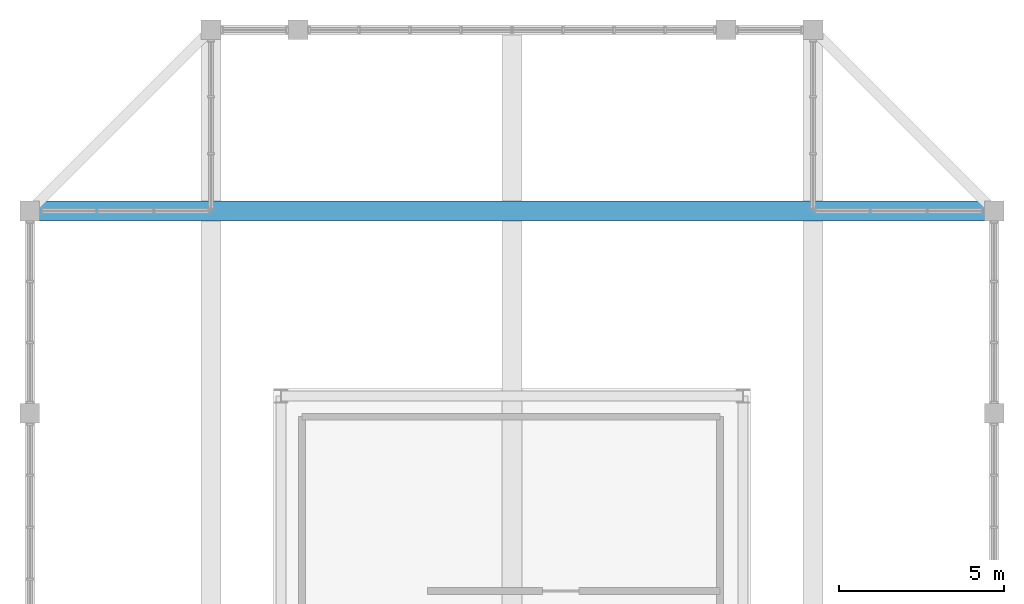
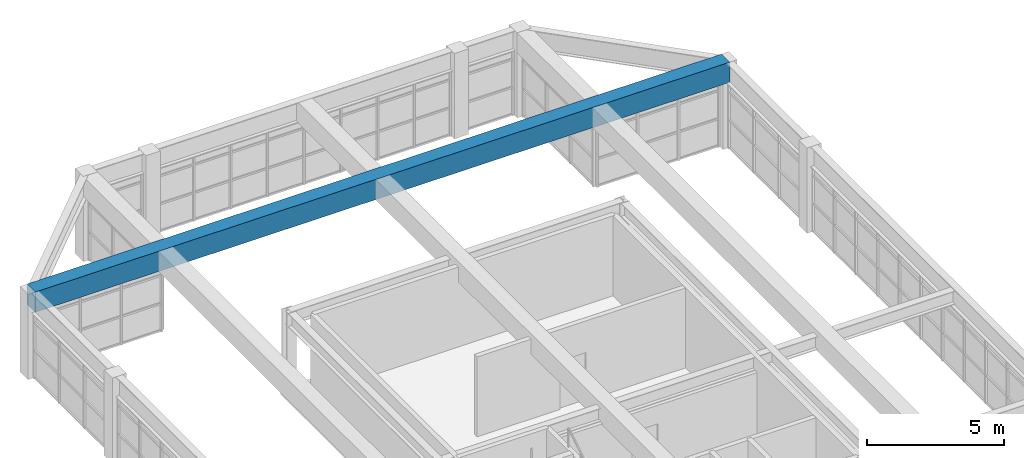
# One storey, part 19 of 28: 1 beam.
"""IFC4 building model written with IfcOpenShell, lengths in metres."""

from ifc_helpers import new_model, si_unit, direction, frame, origin, origin_2d, place, context, subcontext, project, spatial, rectangle, extrude, source, transform, mapped, material, material_profile, profile_set, type_object, element, save


model = new_model("IFC4")

# Units and contexts
model_context = context("Model", 3, precision=1e-05, world=origin(), true_north=direction((0.0, 1.0)))
body_context = subcontext(model_context, "Body", "Model", "MODEL_VIEW")
ifc_project = project(units=[si_unit("LENGTHUNIT", "METRE"), si_unit("AREAUNIT", "SQUARE_METRE"), si_unit("VOLUMEUNIT", "CUBIC_METRE"), si_unit("PLANEANGLEUNIT", "RADIAN"), si_unit("MASSUNIT", "GRAM", prefix="KILO")], contexts=[model_context])

# Site, building, storey
site_placement = place(None, origin())
site = spatial("IfcSite", under=ifc_project, at=site_placement, CompositionType="ELEMENT")
building_placement = place(site_placement, origin())
building = spatial("IfcBuilding", under=site, at=building_placement, Name="Saelheon Loggia Tower", CompositionType="ELEMENT")
storey_placement = place(building_placement, frame((0.0, 0.0, 271.199951171875)))
storey = spatial("IfcBuildingStorey", under=building, at=storey_placement, Name="CR6", CompositionType="ELEMENT", Elevation=271.199951171875)

# Beam
ifc_material = material(Name="Precast Concrete C45/55", Category="concrete")
ifc_material_profile = material_profile(ifc_material, rectangle(XDim=0.60009765625, YDim=0.89990234375, at=origin_2d()), Name="RC-600x900")
ifc_profile_set = profile_set([ifc_material_profile], Name="Precast Concrete C45/55")
beam_type = type_object("IfcBeamType", Name="CrownFrame_Ring_RC600x900", PredefinedType="BEAM", material=ifc_profile_set)
shared_shape = source(origin(), body_context, "Body", "SweptSolid", [
    extrude(rectangle(XDim=0.60009765625, YDim=0.89990234375, at=origin_2d()), origin(), (0.0, 0.0, 1.0), 29.2998046875),
])
beam_placement = place(storey_placement, frame((23.35009765625, 42.14990234375, 3.35009765625), z_axis=(1.0, 0.0, 0.0), x_axis=(0.0, 1.0, 0.0)))
element("IfcBeam", 1, at=beam_placement, inside=storey, type_object=beam_type, Name="CF-RING-CR6-RAF-N", PredefinedType="BEAM", context=body_context, shape_type="MappedRepresentation", body=[
    mapped(shared_shape, transform((0.0, 0.0, 0.0), scale=1.0)),
])

save(model, "model.ifc")
